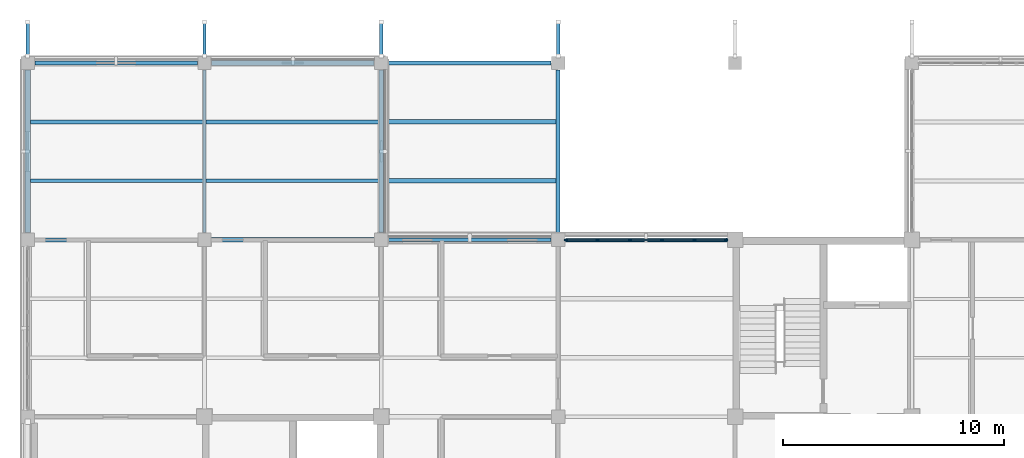
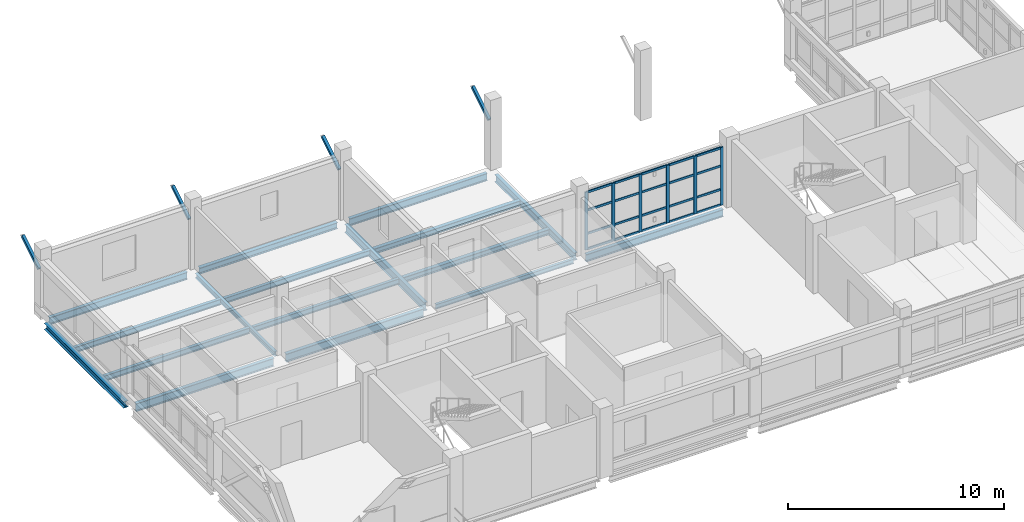
# One storey, part 5 of 35: 30 members, 17 beams, 1 element without a shape of its own.
"""IFC4 building model written with IfcOpenShell, lengths in metres."""

from ifc_helpers import new_model, si_unit, derived_unit, direction, frame, origin, origin_2d, place, context, subcontext, project, spatial, rectangle, hollow_rectangle, i_section, extrude, material, layer, layer_set, material_profile, profile_set, type_object, element, aggregate, save


model = new_model("IFC4")

# Units and contexts
model_context = context("Model", 3, precision=1e-05, world=origin(), true_north=direction((0.0, 1.0)))
body_context = subcontext(model_context, "Body", "Model", "MODEL_VIEW")
ifc_project = project(units=[si_unit("LENGTHUNIT", "METRE"), si_unit("AREAUNIT", "SQUARE_METRE"), si_unit("VOLUMEUNIT", "CUBIC_METRE"), si_unit("PLANEANGLEUNIT", "RADIAN"), si_unit("MASSUNIT", "GRAM", prefix="KILO"), derived_unit("THERMALTRANSMITTANCEUNIT", [(si_unit("MASSUNIT", "GRAM", prefix="KILO"), 1), (si_unit("TIMEUNIT", "SECOND"), -3), (si_unit("THERMODYNAMICTEMPERATUREUNIT", "KELVIN"), -1)])], contexts=[model_context])

# Site, building, storey
site_placement = place(None, origin())
site = spatial("IfcSite", under=ifc_project, at=site_placement, CompositionType="ELEMENT")
building_placement = place(site_placement, origin())
building = spatial("IfcBuilding", under=site, at=building_placement, Name="Veyamyaing Civic Hall", CompositionType="ELEMENT")
storey_placement = place(building_placement, frame((0.0, 0.0, 21.780029296875)))
storey = spatial("IfcBuildingStorey", under=building, at=storey_placement, Name="L05", CompositionType="ELEMENT", Elevation=21.780029296875)

# Beams
ifc_material_1 = material(Name="Steel ASTM A992", Category="steel")
ifc_material_profile_1 = material_profile(ifc_material_1, i_section(OverallWidth=0.19189453125, OverallDepth=0.462890625, WebThickness=0.010498046875, FlangeThickness=0.017578125, FilletRadius=0.010009765625, at=origin_2d()), Name="W460X89")
ifc_profile_set_1 = profile_set([ifc_material_profile_1], Name="Steel ASTM A992")
beam_type_1 = type_object("IfcBeamType", Name="B-08", PredefinedType="BEAM", material=ifc_profile_set_1)
beam_1_placement = place(storey_placement, frame((16.0, 104.324951171875, -0.4814453125), z_axis=(0.0, 1.0, 0.0), x_axis=(-1.0, 0.0, 0.0)))
element("IfcBeam", 1, at=beam_1_placement, inside=storey, type_object=beam_type_1, Name="Girder B-08 L05 Grid 3 P-Q", PredefinedType="BEAM", context=body_context, shape_type="SweptSolid", body=[
    extrude(i_section(OverallWidth=0.19189453125, OverallDepth=0.462890625, WebThickness=0.010498046875, FlangeThickness=0.017578125, FilletRadius=0.010009765625, at=origin_2d()), origin(), (0.0, 0.0, 1.0), 7.35009765625),
])
ifc_material_profile_2 = material_profile(ifc_material_1, i_section(OverallWidth=0.18994140625, OverallDepth=0.45703125, WebThickness=0.009033203125, FlangeThickness=0.014404296875, FilletRadius=0.010009765625, at=origin_2d()), Name="W460X74")
ifc_profile_set_2 = profile_set([ifc_material_profile_2], Name="Steel ASTM A992")
beam_type_2 = type_object("IfcBeamType", Name="B-09", PredefinedType="BEAM", material=ifc_profile_set_2)
beam_2_placement = place(storey_placement, frame((0.324951171875, 104.0, -0.45361328125), z_axis=(1.0, 0.0, 0.0), x_axis=(0.0, 1.0, 0.0)))
element("IfcBeam", 2, at=beam_2_placement, inside=storey, type_object=beam_type_2, Name="Girder B-09 L05 Grid P 1-2", PredefinedType="BEAM", context=body_context, shape_type="SweptSolid", body=[
    extrude(i_section(OverallWidth=0.18994140625, OverallDepth=0.45703125, WebThickness=0.009033203125, FlangeThickness=0.014404296875, FilletRadius=0.010009765625, at=origin_2d()), origin(), (0.0, 0.0, 1.0), 7.35009765625),
])
ifc_material_profile_3 = material_profile(ifc_material_1, i_section(OverallWidth=0.179931640625, OverallDepth=0.4130859375, WebThickness=0.009765625, FlangeThickness=0.01611328125, FilletRadius=0.010009765625, at=origin_2d()), Name="W410X74")
ifc_profile_set_3 = profile_set([ifc_material_profile_3], Name="Steel ASTM A992")
beam_type_3 = type_object("IfcBeamType", Name="B-10", PredefinedType="SPANDREL", material=ifc_profile_set_3)
beam_3_placement = place(storey_placement, frame((0.324951171875, 112.0, -0.431640625), z_axis=(1.0, 0.0, 0.0), x_axis=(0.0, 1.0, 0.0)))
element("IfcBeam", 3, at=beam_3_placement, inside=storey, type_object=beam_type_3, Name="Girder B-10 L05 Grid Q 1-2", PredefinedType="SPANDREL", context=body_context, shape_type="SweptSolid", body=[
    extrude(i_section(OverallWidth=0.179931640625, OverallDepth=0.4130859375, WebThickness=0.009765625, FlangeThickness=0.01611328125, FilletRadius=0.010009765625, at=origin_2d()), origin(), (0.0, 0.0, 1.0), 7.35009765625),
])
ifc_material_profile_4 = material_profile(ifc_material_1, i_section(OverallWidth=0.2041015625, OverallDepth=0.35009765625, WebThickness=0.0078125, FlangeThickness=0.01513671875, FilletRadius=0.010009765625, at=origin_2d()), Name="W360X72")
ifc_profile_set_4 = profile_set([ifc_material_profile_4], Name="Steel ASTM A992")
beam_type_4 = type_object("IfcBeamType", Name="B-11", PredefinedType="SPANDREL", material=ifc_profile_set_4)
beam_4_placement = place(storey_placement, frame((8.324951171875, 112.0, -0.400146484375), z_axis=(1.0, 0.0, 0.0), x_axis=(0.0, 1.0, 0.0)))
element("IfcBeam", 4, at=beam_4_placement, inside=storey, type_object=beam_type_4, Name="Girder B-11 L05 Grid Q 2-3", PredefinedType="SPANDREL", context=body_context, shape_type="SweptSolid", body=[
    extrude(i_section(OverallWidth=0.2041015625, OverallDepth=0.35009765625, WebThickness=0.0078125, FlangeThickness=0.01513671875, FilletRadius=0.010009765625, at=origin_2d()), origin(), (0.0, 0.0, 1.0), 7.35009765625),
])
ifc_material_profile_5 = material_profile(ifc_material_1, i_section(OverallWidth=0.14599609375, OverallDepth=0.258056640625, WebThickness=0.006103515625, FlangeThickness=0.009033203125, FilletRadius=0.010009765625, at=origin_2d()), Name="W250X33")
ifc_profile_set_5 = profile_set([ifc_material_profile_5], Name="Steel ASTM A992")
beam_type_5 = type_object("IfcBeamType", Name="B-12", PredefinedType="BEAM", material=ifc_profile_set_5)
for number, where, z_axis, x_axis, name in (
    (5, (16.324951171875, 104.0, -0.379150390625), (1.0, 0.0, 0.0), (0.0, 1.0, 0.0), "Girder B-12 L05 Grid P 3-4"),
    (6, (8.0, 104.324951171875, -0.35400390625), (0.0, 1.0, 0.0), (-1.0, 0.0, 0.0), "Girder B-12 L05 Grid 2 P-Q"),
):
    element("IfcBeam", number, at=place(storey_placement, frame(where, z_axis=z_axis, x_axis=x_axis)), inside=storey, type_object=beam_type_5, Name=name, PredefinedType="BEAM", context=body_context, shape_type="SweptSolid", body=[
        extrude(i_section(OverallWidth=0.14599609375, OverallDepth=0.258056640625, WebThickness=0.006103515625, FlangeThickness=0.009033203125, FilletRadius=0.010009765625, at=origin_2d()), origin(), (0.0, 0.0, 1.0), 7.35009765625),
    ])
ifc_material_profile_6 = material_profile(ifc_material_1, i_section(OverallWidth=0.194091796875, OverallDepth=0.468994140625, WebThickness=0.0126953125, FlangeThickness=0.0205078125, FilletRadius=0.010009765625, at=origin_2d()), Name="W460X106")
ifc_profile_set_6 = profile_set([ifc_material_profile_6], Name="Steel ASTM A992")
beam_type_6 = type_object("IfcBeamType", Name="B-18", PredefinedType="BEAM", material=ifc_profile_set_6)
beam_5_placement = place(storey_placement, frame((8.324951171875, 104.0, -0.45947265625), z_axis=(1.0, 0.0, 0.0), x_axis=(0.0, 1.0, 0.0)))
element("IfcBeam", 7, at=beam_5_placement, inside=storey, type_object=beam_type_6, Name="Girder B-18 L05 Grid P 2-3", PredefinedType="BEAM", context=body_context, shape_type="SweptSolid", body=[
    extrude(i_section(OverallWidth=0.194091796875, OverallDepth=0.468994140625, WebThickness=0.0126953125, FlangeThickness=0.0205078125, FilletRadius=0.010009765625, at=origin_2d()), origin(), (0.0, 0.0, 1.0), 7.35009765625),
])
ifc_material_profile_7 = material_profile(ifc_material_1, i_section(OverallWidth=0.180908203125, OverallDepth=0.4169921875, WebThickness=0.010986328125, FlangeThickness=0.018310546875, FilletRadius=0.010009765625, at=origin_2d()), Name="W410X85")
ifc_profile_set_7 = profile_set([ifc_material_profile_7], Name="Steel ASTM A992")
beam_type_7 = type_object("IfcBeamType", Name="B-19", PredefinedType="SPANDREL", material=ifc_profile_set_7)
beam_6_placement = place(storey_placement, frame((24.324951171875, 104.0, -0.43359375), z_axis=(1.0, 0.0, 0.0), x_axis=(0.0, 1.0, 0.0)))
element("IfcBeam", 8, at=beam_6_placement, inside=storey, type_object=beam_type_7, Name="Girder B-19 L05 Grid P 4-5", PredefinedType="SPANDREL", context=body_context, shape_type="SweptSolid", body=[
    extrude(i_section(OverallWidth=0.180908203125, OverallDepth=0.4169921875, WebThickness=0.010986328125, FlangeThickness=0.018310546875, FilletRadius=0.010009765625, at=origin_2d()), origin(), (0.0, 0.0, 1.0), 7.324951171875),
])
for number, where, z_axis, x_axis, name in (
    (9, (16.324951171875, 112.0, -0.45849609375), (1.0, 0.0, 0.0), (0.0, 1.0, 0.0), "Girder B-19 L05 Grid Q 3-4"),
    (10, (24.0, 104.324951171875, -0.45849609375), (0.0, 1.0, 0.0), (-1.0, 0.0, 0.0), "Girder B-19 L05 Grid 4 P-Q"),
):
    element("IfcBeam", number, at=place(storey_placement, frame(where, z_axis=z_axis, x_axis=x_axis)), inside=storey, type_object=beam_type_7, Name=name, PredefinedType="SPANDREL", context=body_context, shape_type="SweptSolid", body=[
        extrude(i_section(OverallWidth=0.180908203125, OverallDepth=0.4169921875, WebThickness=0.010986328125, FlangeThickness=0.018310546875, FilletRadius=0.010009765625, at=origin_2d()), origin(), (0.0, 0.0, 1.0), 7.35009765625),
    ])
ifc_material_profile_8 = material_profile(ifc_material_1, i_section(OverallWidth=0.25390625, OverallDepth=0.35302734375, WebThickness=0.009521484375, FlangeThickness=0.016357421875, FilletRadius=0.011962890625, at=origin_2d()), Name="W360X91")
ifc_profile_set_8 = profile_set([ifc_material_profile_8], Name="Steel ASTM A992")
beam_type_8 = type_object("IfcBeamType", Name="B-20", PredefinedType="SPANDREL", material=ifc_profile_set_8)
beam_7_placement = place(storey_placement, frame((0.0, 104.324951171875, -0.401611328125), z_axis=(0.0, 1.0, 0.0), x_axis=(-1.0, 0.0, 0.0)))
element("IfcBeam", 11, at=beam_7_placement, inside=storey, type_object=beam_type_8, Name="Girder B-20 L05 Grid 1 P-Q", PredefinedType="SPANDREL", context=body_context, shape_type="SweptSolid", body=[
    extrude(i_section(OverallWidth=0.25390625, OverallDepth=0.35302734375, WebThickness=0.009521484375, FlangeThickness=0.016357421875, FilletRadius=0.011962890625, at=origin_2d()), origin(), (0.0, 0.0, 1.0), 7.35009765625),
])

# Curtain wall, members
ifc_material_2 = material(Name="Anodised aluminium 6063-T6", Category="aluminium")
ifc_layer = layer(ifc_material_2, 0.159912109375, Name="Anodised aluminium 6063-T6")
ifc_layer_set = layer_set([ifc_layer], Name="Anodised aluminium 6063-T6")
curtain_wall_type = type_object("IfcCurtainWallType", Name="CW-09", PredefinedType="NOTDEFINED", material=ifc_layer_set)
curtain_wall_placement = place(storey_placement, origin())
curtain_wall = element("IfcCurtainWall", 12, at=curtain_wall_placement, inside=storey, type_object=curtain_wall_type, Name="Unitized curtain wall CW-09 L05 N 4.13", PredefinedType="NOTDEFINED")
ifc_material_profile_9 = material_profile(ifc_material_2, rectangle(XDim=0.06494140625, YDim=0.159912109375, at=origin_2d()), Name="ALU-MUL-65X160")
ifc_profile_set_9 = profile_set([ifc_material_profile_9], Name="Anodised aluminium 6063-T6")
member_type_1 = type_object("IfcMemberType", Name="CWM-01", PredefinedType="MULLION", material=ifc_profile_set_9)
member_1_placement = place(storey_placement, frame((24.362548828125, 104.0, 0.0), z_axis=(0.0, 0.0, 1.0), x_axis=(0.0, 1.0, 0.0)))
member_1 = element("IfcMember", 13, at=member_1_placement, type_object=member_type_1, Name="CW-09 mullion 1", PredefinedType="MULLION", context=body_context, shape_type="SweptSolid", body=[
    extrude(rectangle(XDim=0.06494140625, YDim=0.159912109375, at=origin_2d()), origin(), (0.0, 0.0, 1.0), 3.263916015625),
])
member_2_placement = place(storey_placement, frame((25.7880859375, 104.0, 0.0), z_axis=(0.0, 0.0, 1.0), x_axis=(0.0, 1.0, 0.0)))
member_2 = element("IfcMember", 14, at=member_2_placement, type_object=member_type_1, Name="CW-09 mullion 2", PredefinedType="MULLION", context=body_context, shape_type="SweptSolid", body=[
    extrude(rectangle(XDim=0.06494140625, YDim=0.159912109375, at=origin_2d()), origin(), (0.0, 0.0, 1.0), 3.263916015625),
])
member_3_placement = place(storey_placement, frame((27.24609375, 104.0, 0.0), z_axis=(0.0, 0.0, 1.0), x_axis=(0.0, 1.0, 0.0)))
member_3 = element("IfcMember", 15, at=member_3_placement, type_object=member_type_1, Name="CW-09 mullion 3", PredefinedType="MULLION", context=body_context, shape_type="SweptSolid", body=[
    extrude(rectangle(XDim=0.06494140625, YDim=0.159912109375, at=origin_2d()), origin(), (0.0, 0.0, 1.0), 3.263916015625),
])
member_4_placement = place(storey_placement, frame((28.7041015625, 104.0, 0.0), z_axis=(0.0, 0.0, 1.0), x_axis=(0.0, 1.0, 0.0)))
member_4 = element("IfcMember", 16, at=member_4_placement, type_object=member_type_1, Name="CW-09 mullion 4", PredefinedType="MULLION", context=body_context, shape_type="SweptSolid", body=[
    extrude(rectangle(XDim=0.06494140625, YDim=0.159912109375, at=origin_2d()), origin(), (0.0, 0.0, 1.0), 3.263916015625),
])
member_5_placement = place(storey_placement, frame((30.162109375, 104.0, 0.0), z_axis=(0.0, 0.0, 1.0), x_axis=(0.0, 1.0, 0.0)))
member_5 = element("IfcMember", 17, at=member_5_placement, type_object=member_type_1, Name="CW-09 mullion 5", PredefinedType="MULLION", context=body_context, shape_type="SweptSolid", body=[
    extrude(rectangle(XDim=0.06494140625, YDim=0.159912109375, at=origin_2d()), origin(), (0.0, 0.0, 1.0), 3.263916015625),
])
member_6_placement = place(storey_placement, frame((31.58740234375, 104.0, 0.0), z_axis=(0.0, 0.0, 1.0), x_axis=(0.0, 1.0, 0.0)))
member_6 = element("IfcMember", 18, at=member_6_placement, type_object=member_type_1, Name="CW-09 mullion 6", PredefinedType="MULLION", context=body_context, shape_type="SweptSolid", body=[
    extrude(rectangle(XDim=0.06494140625, YDim=0.159912109375, at=origin_2d()), origin(), (0.0, 0.0, 1.0), 3.263916015625),
])
ifc_material_profile_10 = material_profile(ifc_material_2, rectangle(XDim=0.06494140625, YDim=0.1201171875, at=origin_2d()), Name="ALU-TRN-65X120")
ifc_profile_set_10 = profile_set([ifc_material_profile_10], Name="Anodised aluminium 6063-T6")
member_type_2 = type_object("IfcMemberType", Name="CWT-01", PredefinedType="USERDEFINED", material=ifc_profile_set_10)
member_7_placement = place(storey_placement, frame((24.39501953125, 104.0, 0.032470703125), z_axis=(1.0, 0.0, 0.0), x_axis=(0.0, 1.0, 0.0)))
member_7 = element("IfcMember", 19, at=member_7_placement, type_object=member_type_2, Name="CW-09 transom 1.1", ObjectType="TRANSOM", PredefinedType="USERDEFINED", context=body_context, shape_type="SweptSolid", body=[
    extrude(rectangle(XDim=0.06494140625, YDim=0.1201171875, at=origin_2d()), origin(), (0.0, 0.0, 1.0), 1.360595703125),
])
member_8_placement = place(storey_placement, frame((24.39501953125, 104.0, 0.89990234375), z_axis=(1.0, 0.0, 0.0), x_axis=(0.0, 1.0, 0.0)))
member_8 = element("IfcMember", 20, at=member_8_placement, type_object=member_type_2, Name="CW-09 transom 1.2", ObjectType="TRANSOM", PredefinedType="USERDEFINED", context=body_context, shape_type="SweptSolid", body=[
    extrude(rectangle(XDim=0.06494140625, YDim=0.1201171875, at=origin_2d()), origin(), (0.0, 0.0, 1.0), 1.360595703125),
])
member_9_placement = place(storey_placement, frame((24.39501953125, 104.0, 2.219482421875), z_axis=(1.0, 0.0, 0.0), x_axis=(0.0, 1.0, 0.0)))
member_9 = element("IfcMember", 21, at=member_9_placement, type_object=member_type_2, Name="CW-09 transom 1.3", ObjectType="TRANSOM", PredefinedType="USERDEFINED", context=body_context, shape_type="SweptSolid", body=[
    extrude(rectangle(XDim=0.06494140625, YDim=0.1201171875, at=origin_2d()), origin(), (0.0, 0.0, 1.0), 1.360595703125),
])
member_10_placement = place(storey_placement, frame((24.39501953125, 104.0, 3.2314453125), z_axis=(1.0, 0.0, 0.0), x_axis=(0.0, 1.0, 0.0)))
member_10 = element("IfcMember", 22, at=member_10_placement, type_object=member_type_2, Name="CW-09 transom 1.4", ObjectType="TRANSOM", PredefinedType="USERDEFINED", context=body_context, shape_type="SweptSolid", body=[
    extrude(rectangle(XDim=0.06494140625, YDim=0.1201171875, at=origin_2d()), origin(), (0.0, 0.0, 1.0), 1.360595703125),
])
member_11_placement = place(storey_placement, frame((25.820556640625, 104.0, 0.032470703125), z_axis=(1.0, 0.0, 0.0), x_axis=(0.0, 1.0, 0.0)))
member_11 = element("IfcMember", 23, at=member_11_placement, type_object=member_type_2, Name="CW-09 transom 2.1", ObjectType="TRANSOM", PredefinedType="USERDEFINED", context=body_context, shape_type="SweptSolid", body=[
    extrude(rectangle(XDim=0.06494140625, YDim=0.1201171875, at=origin_2d()), origin(), (0.0, 0.0, 1.0), 1.392822265625),
])
member_12_placement = place(storey_placement, frame((25.820556640625, 104.0, 0.89990234375), z_axis=(1.0, 0.0, 0.0), x_axis=(0.0, 1.0, 0.0)))
member_12 = element("IfcMember", 24, at=member_12_placement, type_object=member_type_2, Name="CW-09 transom 2.2", ObjectType="TRANSOM", PredefinedType="USERDEFINED", context=body_context, shape_type="SweptSolid", body=[
    extrude(rectangle(XDim=0.06494140625, YDim=0.1201171875, at=origin_2d()), origin(), (0.0, 0.0, 1.0), 1.392822265625),
])
member_13_placement = place(storey_placement, frame((25.820556640625, 104.0, 2.219482421875), z_axis=(1.0, 0.0, 0.0), x_axis=(0.0, 1.0, 0.0)))
member_13 = element("IfcMember", 25, at=member_13_placement, type_object=member_type_2, Name="CW-09 transom 2.3", ObjectType="TRANSOM", PredefinedType="USERDEFINED", context=body_context, shape_type="SweptSolid", body=[
    extrude(rectangle(XDim=0.06494140625, YDim=0.1201171875, at=origin_2d()), origin(), (0.0, 0.0, 1.0), 1.392822265625),
])
member_14_placement = place(storey_placement, frame((25.820556640625, 104.0, 3.2314453125), z_axis=(1.0, 0.0, 0.0), x_axis=(0.0, 1.0, 0.0)))
member_14 = element("IfcMember", 26, at=member_14_placement, type_object=member_type_2, Name="CW-09 transom 2.4", ObjectType="TRANSOM", PredefinedType="USERDEFINED", context=body_context, shape_type="SweptSolid", body=[
    extrude(rectangle(XDim=0.06494140625, YDim=0.1201171875, at=origin_2d()), origin(), (0.0, 0.0, 1.0), 1.392822265625),
])
member_15_placement = place(storey_placement, frame((27.278564453125, 104.0, 0.032470703125), z_axis=(1.0, 0.0, 0.0), x_axis=(0.0, 1.0, 0.0)))
member_15 = element("IfcMember", 27, at=member_15_placement, type_object=member_type_2, Name="CW-09 transom 3.1", ObjectType="TRANSOM", PredefinedType="USERDEFINED", context=body_context, shape_type="SweptSolid", body=[
    extrude(rectangle(XDim=0.06494140625, YDim=0.1201171875, at=origin_2d()), origin(), (0.0, 0.0, 1.0), 1.392822265625),
])
member_16_placement = place(storey_placement, frame((27.278564453125, 104.0, 0.89990234375), z_axis=(1.0, 0.0, 0.0), x_axis=(0.0, 1.0, 0.0)))
member_16 = element("IfcMember", 28, at=member_16_placement, type_object=member_type_2, Name="CW-09 transom 3.2", ObjectType="TRANSOM", PredefinedType="USERDEFINED", context=body_context, shape_type="SweptSolid", body=[
    extrude(rectangle(XDim=0.06494140625, YDim=0.1201171875, at=origin_2d()), origin(), (0.0, 0.0, 1.0), 1.392822265625),
])
member_17_placement = place(storey_placement, frame((27.278564453125, 104.0, 2.219482421875), z_axis=(1.0, 0.0, 0.0), x_axis=(0.0, 1.0, 0.0)))
member_17 = element("IfcMember", 29, at=member_17_placement, type_object=member_type_2, Name="CW-09 transom 3.3", ObjectType="TRANSOM", PredefinedType="USERDEFINED", context=body_context, shape_type="SweptSolid", body=[
    extrude(rectangle(XDim=0.06494140625, YDim=0.1201171875, at=origin_2d()), origin(), (0.0, 0.0, 1.0), 1.392822265625),
])
member_18_placement = place(storey_placement, frame((27.278564453125, 104.0, 3.2314453125), z_axis=(1.0, 0.0, 0.0), x_axis=(0.0, 1.0, 0.0)))
member_18 = element("IfcMember", 30, at=member_18_placement, type_object=member_type_2, Name="CW-09 transom 3.4", ObjectType="TRANSOM", PredefinedType="USERDEFINED", context=body_context, shape_type="SweptSolid", body=[
    extrude(rectangle(XDim=0.06494140625, YDim=0.1201171875, at=origin_2d()), origin(), (0.0, 0.0, 1.0), 1.392822265625),
])
member_19_placement = place(storey_placement, frame((28.736572265625, 104.0, 0.032470703125), z_axis=(1.0, 0.0, 0.0), x_axis=(0.0, 1.0, 0.0)))
member_19 = element("IfcMember", 31, at=member_19_placement, type_object=member_type_2, Name="CW-09 transom 4.1", ObjectType="TRANSOM", PredefinedType="USERDEFINED", context=body_context, shape_type="SweptSolid", body=[
    extrude(rectangle(XDim=0.06494140625, YDim=0.1201171875, at=origin_2d()), origin(), (0.0, 0.0, 1.0), 1.392822265625),
])
member_20_placement = place(storey_placement, frame((28.736572265625, 104.0, 0.89990234375), z_axis=(1.0, 0.0, 0.0), x_axis=(0.0, 1.0, 0.0)))
member_20 = element("IfcMember", 32, at=member_20_placement, type_object=member_type_2, Name="CW-09 transom 4.2", ObjectType="TRANSOM", PredefinedType="USERDEFINED", context=body_context, shape_type="SweptSolid", body=[
    extrude(rectangle(XDim=0.06494140625, YDim=0.1201171875, at=origin_2d()), origin(), (0.0, 0.0, 1.0), 1.392822265625),
])
member_21_placement = place(storey_placement, frame((28.736572265625, 104.0, 2.219482421875), z_axis=(1.0, 0.0, 0.0), x_axis=(0.0, 1.0, 0.0)))
member_21 = element("IfcMember", 33, at=member_21_placement, type_object=member_type_2, Name="CW-09 transom 4.3", ObjectType="TRANSOM", PredefinedType="USERDEFINED", context=body_context, shape_type="SweptSolid", body=[
    extrude(rectangle(XDim=0.06494140625, YDim=0.1201171875, at=origin_2d()), origin(), (0.0, 0.0, 1.0), 1.392822265625),
])
member_22_placement = place(storey_placement, frame((28.736572265625, 104.0, 3.2314453125), z_axis=(1.0, 0.0, 0.0), x_axis=(0.0, 1.0, 0.0)))
member_22 = element("IfcMember", 34, at=member_22_placement, type_object=member_type_2, Name="CW-09 transom 4.4", ObjectType="TRANSOM", PredefinedType="USERDEFINED", context=body_context, shape_type="SweptSolid", body=[
    extrude(rectangle(XDim=0.06494140625, YDim=0.1201171875, at=origin_2d()), origin(), (0.0, 0.0, 1.0), 1.392822265625),
])
member_23_placement = place(storey_placement, frame((30.194580078125, 104.0, 0.032470703125), z_axis=(1.0, 0.0, 0.0), x_axis=(0.0, 1.0, 0.0)))
member_23 = element("IfcMember", 35, at=member_23_placement, type_object=member_type_2, Name="CW-09 transom 5.1", ObjectType="TRANSOM", PredefinedType="USERDEFINED", context=body_context, shape_type="SweptSolid", body=[
    extrude(rectangle(XDim=0.06494140625, YDim=0.1201171875, at=origin_2d()), origin(), (0.0, 0.0, 1.0), 1.3603515625),
])
member_24_placement = place(storey_placement, frame((30.194580078125, 104.0, 0.89990234375), z_axis=(1.0, 0.0, 0.0), x_axis=(0.0, 1.0, 0.0)))
member_24 = element("IfcMember", 36, at=member_24_placement, type_object=member_type_2, Name="CW-09 transom 5.2", ObjectType="TRANSOM", PredefinedType="USERDEFINED", context=body_context, shape_type="SweptSolid", body=[
    extrude(rectangle(XDim=0.06494140625, YDim=0.1201171875, at=origin_2d()), origin(), (0.0, 0.0, 1.0), 1.3603515625),
])
member_25_placement = place(storey_placement, frame((30.194580078125, 104.0, 2.219482421875), z_axis=(1.0, 0.0, 0.0), x_axis=(0.0, 1.0, 0.0)))
member_25 = element("IfcMember", 37, at=member_25_placement, type_object=member_type_2, Name="CW-09 transom 5.3", ObjectType="TRANSOM", PredefinedType="USERDEFINED", context=body_context, shape_type="SweptSolid", body=[
    extrude(rectangle(XDim=0.06494140625, YDim=0.1201171875, at=origin_2d()), origin(), (0.0, 0.0, 1.0), 1.3603515625),
])
member_26_placement = place(storey_placement, frame((30.194580078125, 104.0, 3.2314453125), z_axis=(1.0, 0.0, 0.0), x_axis=(0.0, 1.0, 0.0)))
member_26 = element("IfcMember", 38, at=member_26_placement, type_object=member_type_2, Name="CW-09 transom 5.4", ObjectType="TRANSOM", PredefinedType="USERDEFINED", context=body_context, shape_type="SweptSolid", body=[
    extrude(rectangle(XDim=0.06494140625, YDim=0.1201171875, at=origin_2d()), origin(), (0.0, 0.0, 1.0), 1.3603515625),
])
aggregate(curtain_wall, [member_1, member_2, member_3, member_4, member_5, member_6, member_7, member_8, member_9, member_10, member_11, member_12, member_13, member_14, member_15, member_16, member_17, member_18, member_19, member_20, member_21, member_22, member_23, member_24, member_25, member_26])

# Beams
ifc_material_profile_11 = material_profile(ifc_material_1, i_section(OverallWidth=0.1669921875, OverallDepth=0.318115234375, WebThickness=0.007568359375, FlangeThickness=0.01318359375, FilletRadius=0.010009765625, at=origin_2d()), Name="W310X52")
ifc_profile_set_11 = profile_set([ifc_material_profile_11], Name="Steel ASTM A992")
beam_type_9 = type_object("IfcBeamType", Name="J-04", PredefinedType="JOIST", material=ifc_profile_set_11)
for number, where, z_axis, x_axis, name in (
    (39, (0.125, 106.666748046875, -0.384033203125), (1.0, 0.0, 0.0), (0.0, 1.0, 0.0), "Composite floor joist J-04 L05 1.14.1"),
    (40, (0.125, 109.333251953125, -0.384033203125), (1.0, 0.0, 0.0), (0.0, 1.0, 0.0), "Composite floor joist J-04 L05 1.14.2"),
):
    element("IfcBeam", number, at=place(storey_placement, frame(where, z_axis=z_axis, x_axis=x_axis)), inside=storey, type_object=beam_type_9, Name=name, PredefinedType="JOIST", context=body_context, shape_type="SweptSolid", body=[
        extrude(i_section(OverallWidth=0.1669921875, OverallDepth=0.318115234375, WebThickness=0.007568359375, FlangeThickness=0.01318359375, FilletRadius=0.010009765625, at=origin_2d()), origin(), (0.0, 0.0, 1.0), 7.803955078125),
    ])
ifc_material_profile_12 = material_profile(ifc_material_1, i_section(OverallWidth=0.1650390625, OverallDepth=0.31005859375, WebThickness=0.005859375, FlangeThickness=0.009765625, FilletRadius=0.010009765625, at=origin_2d()), Name="W310X39")
ifc_profile_set_12 = profile_set([ifc_material_profile_12], Name="Steel ASTM A992")
beam_type_10 = type_object("IfcBeamType", Name="J-05", PredefinedType="JOIST", material=ifc_profile_set_12)
for number, where, z_axis, x_axis, name in (
    (41, (8.071044921875, 106.666748046875, -0.405029296875), (1.0, 0.0, 0.0), (0.0, 1.0, 0.0), "Composite floor joist J-05 L05 2.14.1"),
    (42, (8.071044921875, 109.333251953125, -0.405029296875), (1.0, 0.0, 0.0), (0.0, 1.0, 0.0), "Composite floor joist J-05 L05 2.14.2"),
):
    element("IfcBeam", number, at=place(storey_placement, frame(where, z_axis=z_axis, x_axis=x_axis)), inside=storey, type_object=beam_type_10, Name=name, PredefinedType="JOIST", context=body_context, shape_type="SweptSolid", body=[
        extrude(i_section(OverallWidth=0.1650390625, OverallDepth=0.31005859375, WebThickness=0.005859375, FlangeThickness=0.009765625, FilletRadius=0.010009765625, at=origin_2d()), origin(), (0.0, 0.0, 1.0), 7.8349609375),
    ])
ifc_material_profile_13 = material_profile(ifc_material_1, i_section(OverallWidth=0.2041015625, OverallDepth=0.305908203125, WebThickness=0.008544921875, FlangeThickness=0.0146484375, FilletRadius=0.010009765625, at=origin_2d()), Name="W310X67")
ifc_profile_set_13 = profile_set([ifc_material_profile_13], Name="Steel ASTM A992")
beam_type_11 = type_object("IfcBeamType", Name="J-06", PredefinedType="JOIST", material=ifc_profile_set_13)
for number, where, z_axis, x_axis, name in (
    (43, (16.093994140625, 106.666748046875, -0.403076171875), (1.0, 0.0, 0.0), (0.0, 1.0, 0.0), "Composite floor joist J-06 L05 3.14.1"),
    (44, (16.093994140625, 109.333251953125, -0.403076171875), (1.0, 0.0, 0.0), (0.0, 1.0, 0.0), "Composite floor joist J-06 L05 3.14.2"),
):
    element("IfcBeam", number, at=place(storey_placement, frame(where, z_axis=z_axis, x_axis=x_axis)), inside=storey, type_object=beam_type_11, Name=name, PredefinedType="JOIST", context=body_context, shape_type="SweptSolid", body=[
        extrude(i_section(OverallWidth=0.2041015625, OverallDepth=0.305908203125, WebThickness=0.008544921875, FlangeThickness=0.0146484375, FilletRadius=0.010009765625, at=origin_2d()), origin(), (0.0, 0.0, 1.0), 7.817626953125),
    ])

# Members
ifc_material_3 = material(Name="Steel S355J2", Category="steel")
ifc_material_profile_14 = material_profile(ifc_material_3, hollow_rectangle(XDim=0.152099609375, YDim=0.152099609375, WallThickness=0.009521484375, at=origin_2d()), Name="HSS152X152X9.5")
ifc_profile_set_14 = profile_set([ifc_material_profile_14], Name="Steel S355J2")
member_type_3 = type_object("IfcMemberType", Name="SR-01", PredefinedType="STRUT", material=ifc_profile_set_14)
for number, where, z_axis, x_axis, name in (
    (45, (0.0, 112.320068359375, 2.409912109375), (0.0, 0.852059527287, 0.523444898685), (-1.0, 0.0, 0.0), "Sacak diagonal steel eave strut SR-01 V4-NW.0"),
    (46, (8.0, 112.320068359375, 2.409912109375), (0.0, 0.852059527287, 0.523444898685), (-1.0, 0.0, 0.0), "Sacak diagonal steel eave strut SR-01 V4-NW.1"),
    (47, (16.0, 112.320068359375, 2.409912109375), (0.0, 0.852059527287, 0.523444898685), (-1.0, 0.0, 0.0), "Sacak diagonal steel eave strut SR-01 V4-NW.2"),
    (48, (24.0, 112.320068359375, 2.409912109375), (0.0, 0.852059527287, 0.523444898685), (-1.0, 0.0, 0.0), "Sacak diagonal steel eave strut SR-01 V4-NW.3"),
):
    element("IfcMember", number, at=place(storey_placement, frame(where, z_axis=z_axis, x_axis=x_axis)), inside=storey, type_object=member_type_3, Name=name, PredefinedType="STRUT", context=body_context, shape_type="SweptSolid", body=[
        extrude(hollow_rectangle(XDim=0.152099609375, YDim=0.152099609375, WallThickness=0.009521484375, at=origin_2d()), origin(), (0.0, 0.0, 1.0), 1.795654296875),
    ])

save(model, "model.ifc")
